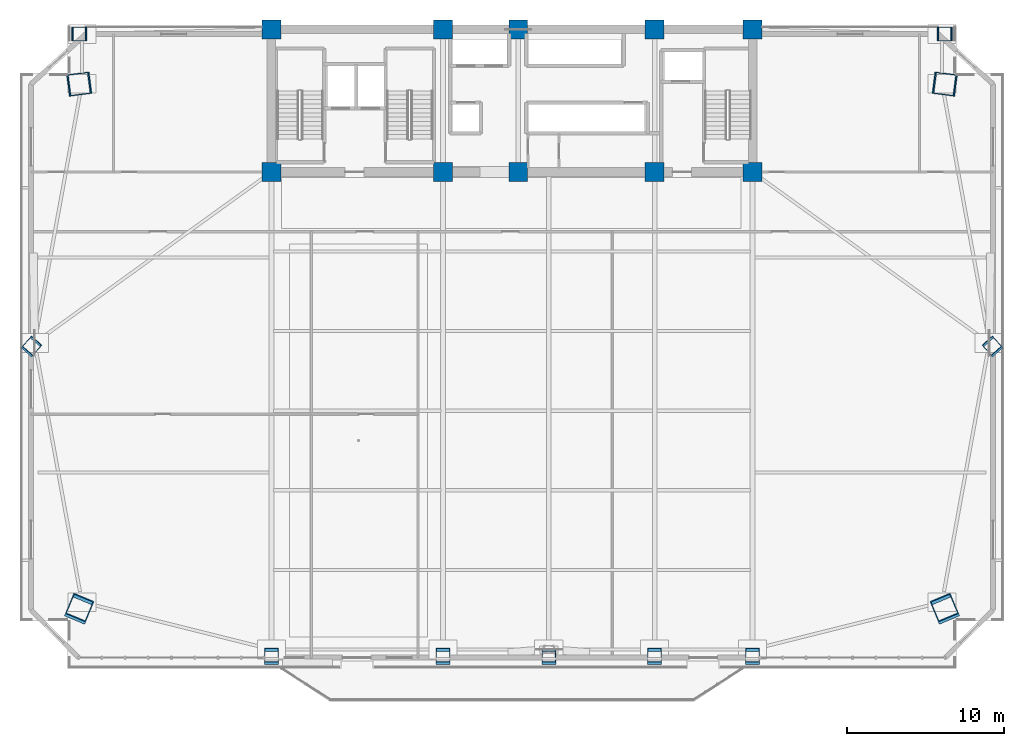
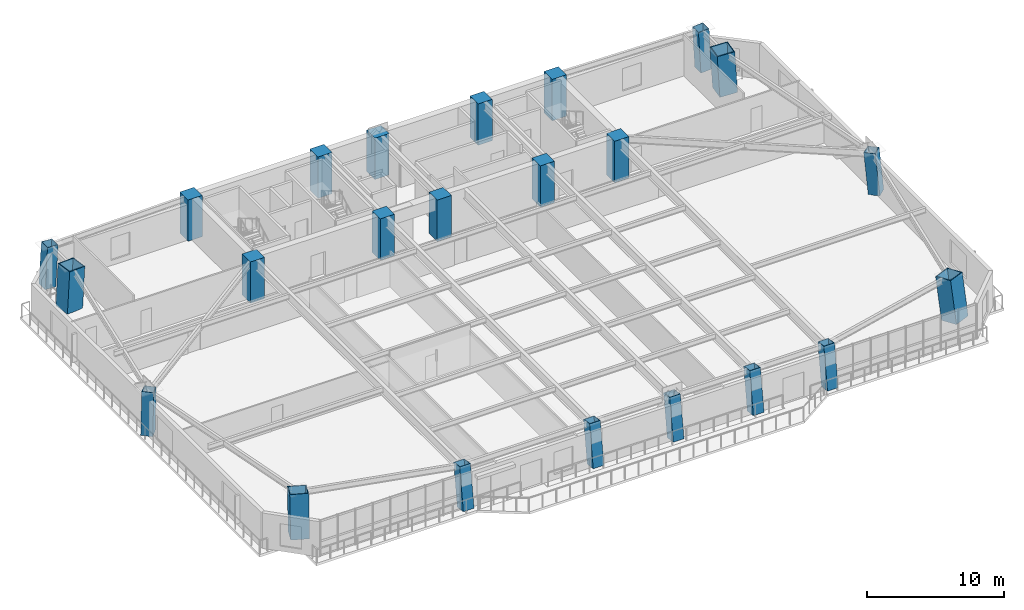
# One storey, part 1 of 15: 23 columns.
"""IFC4 building model written with IfcOpenShell, lengths in metres."""

from ifc_helpers import new_model, si_unit, direction, frame, origin, origin_2d, place, context, subcontext, project, spatial, rectangle, hollow_rectangle, extrude, source, transform, mapped, material, material_profile, profile_set, type_object, element, save


model = new_model("IFC4")

# Units and contexts
model_context = context("Model", 3, precision=1e-05, world=origin(), true_north=direction((0.0, 1.0)))
body_context = subcontext(model_context, "Body", "Model", "MODEL_VIEW")
ifc_project = project(units=[si_unit("LENGTHUNIT", "METRE"), si_unit("AREAUNIT", "SQUARE_METRE"), si_unit("VOLUMEUNIT", "CUBIC_METRE"), si_unit("PLANEANGLEUNIT", "RADIAN"), si_unit("MASSUNIT", "GRAM", prefix="KILO")], contexts=[model_context])

# Site, building, storey
site_placement = place(None, origin())
site = spatial("IfcSite", under=ifc_project, at=site_placement, CompositionType="ELEMENT")
building_placement = place(site_placement, origin())
building = spatial("IfcBuilding", under=site, at=building_placement, Name="Giltprow Tower", CompositionType="ELEMENT")
storey_placement = place(building_placement, frame((0.0, 0.0, 107.5)))
storey = spatial("IfcBuildingStorey", under=building, at=storey_placement, Name="L26", CompositionType="ELEMENT", Elevation=107.5)

# Columns
ifc_material_1 = material(Name="Concrete C60", Category="concrete")
ifc_material_profile_1 = material_profile(ifc_material_1, rectangle(XDim=1.199951171875, YDim=1.199951171875, at=origin_2d()), Name="RC 1200x1200")
ifc_profile_set_1 = profile_set([ifc_material_profile_1], Name="Concrete C60")
column_type_1 = type_object("IfcColumnType", Name="PIL-RC-1200-C60", PredefinedType="PILASTER", material=ifc_profile_set_1)
shared_shape_1 = source(origin(), body_context, "Body", "SweptSolid", [
    extrude(rectangle(XDim=1.199951171875, YDim=1.199951171875, at=origin_2d()), origin(), (0.0, 0.0, 1.0), 3.679931640625),
])
for number, where, z_axis, x_axis, name in (
    (1, (19.85009765625, 37.449951171875, 0.0), (0.0, 0.0, 1.0), (1.0, 0.0, 0.0), "L26 Core Boundary Pilaster 1-1"),
    (2, (19.85009765625, 46.550048828125, 0.0), (0.0, 0.0, 1.0), (1.0, 0.0, 0.0), "L26 Core Boundary Pilaster 1-2"),
    (3, (30.800048828125, 37.449951171875, 0.0), (0.0, 0.0, 1.0), (1.0, 0.0, 0.0), "L26 Core Boundary Pilaster 2-1"),
    (4, (30.800048828125, 46.550048828125, 0.0), (0.0, 0.0, 1.0), (1.0, 0.0, 0.0), "L26 Core Boundary Pilaster 2-2"),
    (5, (35.60009765625, 37.449951171875, 0.0), (0.0, 0.0, 1.0), (1.0, 0.0, 0.0), "L26 Core Boundary Pilaster 3-1"),
    (6, (35.60009765625, 46.550048828125, 0.0), (0.0, 0.0, 1.0), (1.0, 0.0, 0.0), "L26 Core Boundary Pilaster 3-2"),
    (7, (44.300048828125, 37.449951171875, 0.0), (0.0, 0.0, 1.0), (1.0, 0.0, 0.0), "L26 Core Boundary Pilaster 4-1"),
    (8, (44.300048828125, 46.550048828125, 0.0), (0.0, 0.0, 1.0), (1.0, 0.0, 0.0), "L26 Core Boundary Pilaster 4-2"),
    (9, (50.550048828125, 37.449951171875, 0.0), (0.0, 0.0, 1.0), (1.0, 0.0, 0.0), "L26 Core Boundary Pilaster 5-1"),
    (10, (50.550048828125, 46.550048828125, 0.0), (0.0, 0.0, 1.0), (1.0, 0.0, 0.0), "L26 Core Boundary Pilaster 5-2"),
):
    element("IfcColumn", number, at=place(storey_placement, frame(where, z_axis=z_axis, x_axis=x_axis)), inside=storey, type_object=column_type_1, Name=name, PredefinedType="PILASTER", context=body_context, shape_type="MappedRepresentation", body=[
        mapped(shared_shape_1, transform((0.0, 0.0, 0.0), x_axis=(1.0, 0.0, 0.0), y_axis=(0.0, 1.0, 0.0), z_axis=(0.0, 0.0, 1.0), scale=1.0)),
    ])
ifc_material_2 = material(Name="Structural steel Q420GJC", Category="steel")
ifc_material_profile_2 = material_profile(ifc_material_2, hollow_rectangle(XDim=1.39990234375, YDim=1.39990234375, WallThickness=0.06494140625, at=origin_2d()), Name="BOX 1400x1400x65")
ifc_profile_set_2 = profile_set([ifc_material_profile_2], Name="Structural steel Q420GJC")
column_type_2 = type_object("IfcColumnType", Name="COL-BOX-1400x1400x65", PredefinedType="COLUMN", material=ifc_profile_set_2)
shared_shape_2 = source(origin(), body_context, "Body", "SweptSolid", [
    extrude(hollow_rectangle(XDim=1.39990234375, YDim=1.39990234375, WallThickness=0.06494140625, at=origin_2d()), origin(), (0.0, 0.0, 1.0), 3.719970703125),
])
for number, where, z_axis, x_axis, name in (
    (11, (7.552978515625, 9.5048828125, 0.0), (0.055918167309, 0.135004307693, 0.989265887145), (-0.923885455133, 0.382669133579, 0.0), "L26 Mega-Column MC_SW"),
    (12, (62.847900390625, 9.5048828125, 0.0), (-0.056179867265, 0.135002321221, 0.989251330946), (-0.923249458172, -0.3842010385, 0.0), "L26 Mega-Column MC_SE"),
):
    element("IfcColumn", number, at=place(storey_placement, frame(where, z_axis=z_axis, x_axis=x_axis)), inside=storey, type_object=column_type_2, Name=name, PredefinedType="COLUMN", context=body_context, shape_type="MappedRepresentation", body=[
        mapped(shared_shape_2, transform((0.0, 0.0, 0.0), x_axis=(1.0, 0.0, 0.0), y_axis=(0.0, 1.0, 0.0), z_axis=(0.0, 0.0, 1.0), scale=1.0)),
    ])
shared_shape_3 = source(origin(), body_context, "Body", "SweptSolid", [
    extrude(hollow_rectangle(XDim=1.39990234375, YDim=1.39990234375, WallThickness=0.06494140625, at=origin_2d()), origin(), (0.0, 0.0, 1.0), 3.685791015625),
])
column_1_placement = place(storey_placement, frame((7.552978515625, 43.055908203125, 0.0), z_axis=(0.056433302184, 0.007352225989, 0.998379300255), x_axis=(-0.129189912634, 0.991619869947, 0.0)))
element("IfcColumn", 13, at=column_1_placement, inside=storey, type_object=column_type_2, Name="L26 Mega-Column MC_NW", PredefinedType="COLUMN", context=body_context, shape_type="MappedRepresentation", body=[
    mapped(shared_shape_3, transform((0.0, 0.0, 0.0), x_axis=(1.0, 0.0, 0.0), y_axis=(0.0, 1.0, 0.0), z_axis=(0.0, 0.0, 1.0), scale=1.0)),
])
shared_shape_4 = source(origin(), body_context, "Body", "SweptSolid", [
    extrude(hollow_rectangle(XDim=1.39990234375, YDim=1.39990234375, WallThickness=0.06494140625, at=origin_2d()), origin(), (0.0, 0.0, 1.0), 3.68603515625),
])
column_2_placement = place(storey_placement, frame((62.847900390625, 43.055908203125, 0.0), z_axis=(-0.056697397557, 0.007352115805, 0.998364338057), x_axis=(-0.128596227734, -0.991697035497, 0.0)))
element("IfcColumn", 14, at=column_2_placement, inside=storey, type_object=column_type_2, Name="L26 Mega-Column MC_NE", PredefinedType="COLUMN", context=body_context, shape_type="MappedRepresentation", body=[
    mapped(shared_shape_4, transform((0.0, 0.0, 0.0), x_axis=(1.0, 0.0, 0.0), y_axis=(0.0, 1.0, 0.0), z_axis=(0.0, 0.0, 1.0), scale=1.0)),
])
ifc_material_profile_3 = material_profile(ifc_material_2, hollow_rectangle(XDim=0.89990234375, YDim=0.89990234375, WallThickness=0.0400390625, at=origin_2d()), Name="BOX 900x900x40")
ifc_profile_set_3 = profile_set([ifc_material_profile_3], Name="Structural steel Q420GJC")
column_type_3 = type_object("IfcColumnType", Name="COL-BOX-900x900x40", PredefinedType="COLUMN", material=ifc_profile_set_3)
shared_shape_5 = source(origin(), body_context, "Body", "SweptSolid", [
    extrude(hollow_rectangle(XDim=0.89990234375, YDim=0.89990234375, WallThickness=0.0400390625, at=origin_2d()), origin(), (0.0, 0.0, 1.0), 3.717529296875),
])
for number, where, z_axis, x_axis, name in (
    (15, (19.85009765625, 6.4619140625, 0.0), (0.0, 0.142046516587, 0.989859983596), (-1.0, 0.0, 0.0), "L26 Perimeter Column S1"),
    (16, (30.800048828125, 6.4619140625, 0.0), (0.0, 0.142046516587, 0.989859983596), (-1.0, 0.0, 0.0), "L26 Perimeter Column S2"),
    (17, (37.550048828125, 6.4619140625, 0.0), (0.0, 0.142046516587, 0.989859983596), (-1.0, 0.0, 0.0), "L26 Perimeter Column S_MID"),
    (18, (44.300048828125, 6.4619140625, 0.0), (0.0, 0.142046516587, 0.989859983596), (-1.0, 0.0, 0.0), "L26 Perimeter Column S3"),
    (19, (50.550048828125, 6.4619140625, 0.0), (0.0, 0.142046516587, 0.989859983596), (-1.0, 0.0, 0.0), "L26 Perimeter Column S4"),
):
    element("IfcColumn", number, at=place(storey_placement, frame(where, z_axis=z_axis, x_axis=x_axis)), inside=storey, type_object=column_type_3, Name=name, PredefinedType="COLUMN", context=body_context, shape_type="MappedRepresentation", body=[
        mapped(shared_shape_5, transform((0.0, 0.0, 0.0), x_axis=(1.0, 0.0, 0.0), y_axis=(0.0, 1.0, 0.0), z_axis=(0.0, 0.0, 1.0), scale=1.0)),
    ])
shared_shape_6 = source(origin(), body_context, "Body", "SweptSolid", [
    extrude(hollow_rectangle(XDim=0.89990234375, YDim=0.89990234375, WallThickness=0.0400390625, at=origin_2d()), origin(), (0.0, 0.0, 1.0), 3.69677734375),
])
column_3_placement = place(storey_placement, frame((4.510009765625, 26.280029296875, 0.0), z_axis=(0.063266331231, 0.07165341272, 0.995421096711), x_axis=(-0.749616029369, 0.661872954964, 0.0)))
element("IfcColumn", 20, at=column_3_placement, inside=storey, type_object=column_type_3, Name="L26 Perimeter Column W_MID", PredefinedType="COLUMN", context=body_context, shape_type="MappedRepresentation", body=[
    mapped(shared_shape_6, transform((0.0, 0.0, 0.0), x_axis=(1.0, 0.0, 0.0), y_axis=(0.0, 1.0, 0.0), z_axis=(0.0, 0.0, 1.0), scale=1.0)),
])
shared_shape_7 = source(origin(), body_context, "Body", "SweptSolid", [
    extrude(hollow_rectangle(XDim=0.89990234375, YDim=0.89990234375, WallThickness=0.0400390625, at=origin_2d()), origin(), (0.0, 0.0, 1.0), 3.697021484375),
])
column_4_placement = place(storey_placement, frame((65.89111328125, 26.280029296875, 0.0), z_axis=(-0.063595199298, 0.071651911982, 0.995400248209), x_axis=(-0.747903514813, -0.663807451397, 0.0)))
element("IfcColumn", 21, at=column_4_placement, inside=storey, type_object=column_type_3, Name="L26 Perimeter Column E_MID", PredefinedType="COLUMN", context=body_context, shape_type="MappedRepresentation", body=[
    mapped(shared_shape_7, transform((0.0, 0.0, 0.0), x_axis=(1.0, 0.0, 0.0), y_axis=(0.0, 1.0, 0.0), z_axis=(0.0, 0.0, 1.0), scale=1.0)),
])
shared_shape_8 = source(origin(), body_context, "Body", "SweptSolid", [
    extrude(hollow_rectangle(XDim=0.89990234375, YDim=0.89990234375, WallThickness=0.0400390625, at=origin_2d()), origin(), (0.0, 0.0, 1.0), 3.685791015625),
])
for number, where, z_axis, x_axis, name in (
    (22, (7.552978515625, 46.25, 0.0), (0.056434827503, 0.0, 0.998406285159), (0.0, 1.0, 0.0), "L26 Perimeter Column N_W"),
    (23, (62.847900390625, 46.25, 0.0), (-0.056698929969, 0.0, 0.998391321747), (0.0, -1.0, 0.0), "L26 Perimeter Column N_E"),
):
    element("IfcColumn", number, at=place(storey_placement, frame(where, z_axis=z_axis, x_axis=x_axis)), inside=storey, type_object=column_type_3, Name=name, PredefinedType="COLUMN", context=body_context, shape_type="MappedRepresentation", body=[
        mapped(shared_shape_8, transform((0.0, 0.0, 0.0), x_axis=(1.0, 0.0, 0.0), y_axis=(0.0, 1.0, 0.0), z_axis=(0.0, 0.0, 1.0), scale=1.0)),
    ])

save(model, "model.ifc")
